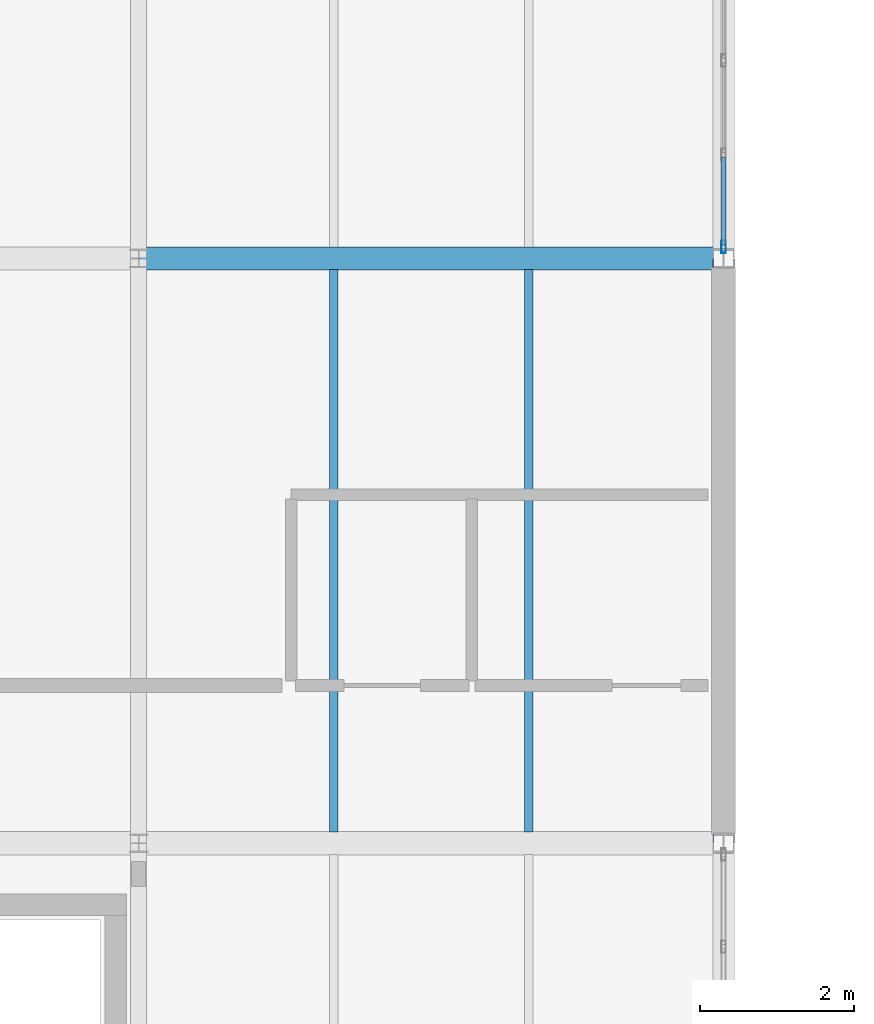
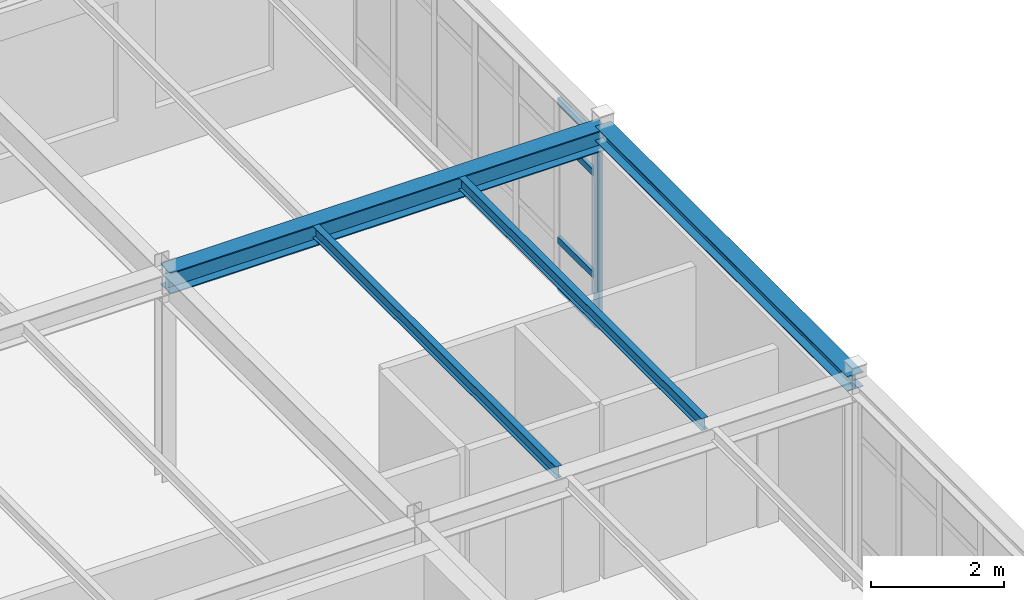
# One storey, part 36 of 189: 5 members, 4 beams, 1 element without a shape of its own.
"""IFC4 building model written with IfcOpenShell, lengths in metres."""

from ifc_helpers import new_model, si_unit, direction, frame, origin, origin_2d, place, context, subcontext, project, spatial, hollow_rectangle, i_section, extrude, material, layer, layer_set, material_profile, profile_set, type_object, element, aggregate, save


model = new_model("IFC4")

# Units and contexts
model_context = context("Model", 3, precision=1e-05, world=origin(), true_north=direction((0.0, 1.0)))
body_context = subcontext(model_context, "Body", "Model", "MODEL_VIEW")
ifc_project = project(units=[si_unit("LENGTHUNIT", "METRE"), si_unit("AREAUNIT", "SQUARE_METRE"), si_unit("VOLUMEUNIT", "CUBIC_METRE"), si_unit("PLANEANGLEUNIT", "RADIAN"), si_unit("MASSUNIT", "GRAM", prefix="KILO")], contexts=[model_context])

# Site, building, storey
site_placement = place(None, origin())
site = spatial("IfcSite", under=ifc_project, at=site_placement, CompositionType="ELEMENT")
building_placement = place(site_placement, origin())
building = spatial("IfcBuilding", under=site, at=building_placement, Name="Montecoro Central Library", CompositionType="ELEMENT")
storey_placement = place(building_placement, frame((0.0, 0.0, 9.179931640625)))
storey = spatial("IfcBuildingStorey", under=building, at=storey_placement, Name="L02", CompositionType="ELEMENT", Elevation=9.179931640625)

# Beams
ifc_material_1 = material(Name="Steel S355", Category="steel")
ifc_material_profile_1 = material_profile(ifc_material_1, i_section(OverallWidth=0.300048828125, OverallDepth=0.389892578125, WebThickness=0.010986328125, FlangeThickness=0.01904296875, at=origin_2d()), Name="HEA 400")
ifc_profile_set_1 = profile_set([ifc_material_profile_1], Name="Steel S355")
beam_type_1 = type_object("IfcBeamType", Name="BM-G-HEA400", PredefinedType="USERDEFINED", material=ifc_profile_set_1)
beam_1_placement = place(storey_placement, frame((35.405029296875, 27.800048828125, 3.630126953125), z_axis=(1.0, 0.0, 0.0), x_axis=(0.0, 1.0, 0.0)))
element("IfcBeam", 1, at=beam_1_placement, inside=storey, type_object=beam_type_1, Name="V3-L02-BX-56-D", ObjectType="GIRDER", PredefinedType="USERDEFINED", context=body_context, shape_type="SweptSolid", body=[
    extrude(i_section(OverallWidth=0.300048828125, OverallDepth=0.389892578125, WebThickness=0.010986328125, FlangeThickness=0.01904296875, at=origin_2d()), origin(), (0.0, 0.0, 1.0), 7.590087890625),
])
ifc_material_profile_2 = material_profile(ifc_material_1, i_section(OverallWidth=0.110107421875, OverallDepth=0.219970703125, WebThickness=0.005859375, FlangeThickness=0.00927734375, at=origin_2d()), Name="IPE 220")
ifc_profile_set_2 = profile_set([ifc_material_profile_2], Name="Steel S355")
beam_type_2 = type_object("IfcBeamType", Name="BM-J-IPE220", PredefinedType="JOIST", material=ifc_profile_set_2)
for number, where, z_axis, x_axis, name in (
    (2, (37.93310546875, 20.346923828125, 3.715087890625), (0.0, 1.0, 0.0), (-1.0, 0.0, 0.0), "V3-L02-JS-56-CD-1"),
    (3, (40.467041015625, 20.346923828125, 3.715087890625), (0.0, 1.0, 0.0), (-1.0, 0.0, 0.0), "V3-L02-JS-56-CD-2"),
):
    element("IfcBeam", number, at=place(storey_placement, frame(where, z_axis=z_axis, x_axis=x_axis)), inside=storey, type_object=beam_type_2, Name=name, PredefinedType="JOIST", context=body_context, shape_type="SweptSolid", body=[
        extrude(i_section(OverallWidth=0.110107421875, OverallDepth=0.219970703125, WebThickness=0.005859375, FlangeThickness=0.00927734375, at=origin_2d()), origin(), (0.0, 0.0, 1.0), 7.30615234375),
    ])
ifc_material_profile_3 = material_profile(ifc_material_1, i_section(OverallWidth=0.280029296875, OverallDepth=0.27001953125, WebThickness=0.008056640625, FlangeThickness=0.012939453125, at=origin_2d()), Name="HEA 280")
ifc_profile_set_3 = profile_set([ifc_material_profile_3], Name="Steel S355")
beam_type_3 = type_object("IfcBeamType", Name="BM-SP-HEA280", PredefinedType="SPANDREL", material=ifc_profile_set_3)
beam_2_placement = place(storey_placement, frame((43.0, 20.205078125, 3.690185546875), z_axis=(0.0, 1.0, 0.0), x_axis=(-1.0, 0.0, 0.0)))
element("IfcBeam", 4, at=beam_2_placement, inside=storey, type_object=beam_type_3, Name="V3-L02-BY-6-CD", PredefinedType="SPANDREL", context=body_context, shape_type="SweptSolid", body=[
    extrude(i_section(OverallWidth=0.280029296875, OverallDepth=0.27001953125, WebThickness=0.008056640625, FlangeThickness=0.012939453125, at=origin_2d()), origin(), (0.0, 0.0, 1.0), 7.58984375),
])

# Curtain wall, members
ifc_material_2 = material(Name="Bronze-anodised aluminium and low-E glazing", Category="aluminium")
ifc_layer = layer(ifc_material_2, 0.159912109375)
ifc_layer_set = layer_set([ifc_layer], Name="Bronze-anodised aluminium and low-E glazing")
curtain_wall_type = type_object("IfcCurtainWallType", Name="CWT-034", PredefinedType="NOTDEFINED", material=ifc_layer_set)
curtain_wall_placement = place(storey_placement, origin())
curtain_wall = element("IfcCurtainWall", 5, at=curtain_wall_placement, inside=storey, type_object=curtain_wall_type, Name="V3-L02-CW-E3", PredefinedType="NOTDEFINED")
ifc_material_3 = material(Name="Bronze-anodised aluminium", Category="aluminium")
ifc_material_profile_4 = material_profile(ifc_material_3, hollow_rectangle(XDim=0.06005859375, YDim=0.159912109375, WallThickness=0.00390625, at=origin_2d()), Name="CWM 160x60x4.0")
ifc_profile_set_4 = profile_set([ifc_material_profile_4], Name="Bronze-anodised aluminium")
member_type_1 = type_object("IfcMemberType", Name="CWM-BRZ-60", PredefinedType="MULLION", material=ifc_profile_set_4)
member_1_placement = place(storey_placement, frame((43.0, 27.947998046875, 0.0), z_axis=(0.0, 0.0, 1.0), x_axis=(-1.0, 0.0, 0.0)))
member_1 = element("IfcMember", 6, at=member_1_placement, type_object=member_type_1, Name="CW-034 mullion 1", PredefinedType="MULLION", context=body_context, shape_type="SweptSolid", body=[
    extrude(hollow_rectangle(XDim=0.06005859375, YDim=0.159912109375, WallThickness=0.00390625, at=origin_2d()), origin(), (0.0, 0.0, 1.0), 3.47998046875),
])
ifc_material_profile_5 = material_profile(ifc_material_3, hollow_rectangle(XDim=0.06005859375, YDim=0.1201171875, WallThickness=0.00390625, at=origin_2d()), Name="CWT 120x60x4.0")
ifc_profile_set_5 = profile_set([ifc_material_profile_5], Name="Bronze-anodised aluminium")
member_type_2 = type_object("IfcMemberType", Name="CWT-BRZ-60", PredefinedType="USERDEFINED", material=ifc_profile_set_5)
member_2_placement = place(storey_placement, frame((43.0, 27.97802734375, 0.030029296875), z_axis=(0.0, 1.0, 0.0), x_axis=(-1.0, 0.0, 0.0)))
member_2 = element("IfcMember", 7, at=member_2_placement, type_object=member_type_2, Name="CW-034 transom 1.1", ObjectType="TRANSOM", PredefinedType="USERDEFINED", context=body_context, shape_type="SweptSolid", body=[
    extrude(hollow_rectangle(XDim=0.06005859375, YDim=0.1201171875, WallThickness=0.00390625, at=origin_2d()), origin(), (0.0, 0.0, 1.0), 1.13720703125),
])
member_3_placement = place(storey_placement, frame((43.0, 27.97802734375, 0.900146484375), z_axis=(0.0, 1.0, 0.0), x_axis=(-1.0, 0.0, 0.0)))
member_3 = element("IfcMember", 8, at=member_3_placement, type_object=member_type_2, Name="CW-034 transom 1.2", ObjectType="TRANSOM", PredefinedType="USERDEFINED", context=body_context, shape_type="SweptSolid", body=[
    extrude(hollow_rectangle(XDim=0.06005859375, YDim=0.1201171875, WallThickness=0.00390625, at=origin_2d()), origin(), (0.0, 0.0, 1.0), 1.13720703125),
])
member_4_placement = place(storey_placement, frame((43.0, 27.97802734375, 2.780029296875), z_axis=(0.0, 1.0, 0.0), x_axis=(-1.0, 0.0, 0.0)))
member_4 = element("IfcMember", 9, at=member_4_placement, type_object=member_type_2, Name="CW-034 transom 1.3", ObjectType="TRANSOM", PredefinedType="USERDEFINED", context=body_context, shape_type="SweptSolid", body=[
    extrude(hollow_rectangle(XDim=0.06005859375, YDim=0.1201171875, WallThickness=0.00390625, at=origin_2d()), origin(), (0.0, 0.0, 1.0), 1.13720703125),
])
member_5_placement = place(storey_placement, frame((43.0, 27.97802734375, 3.449951171875), z_axis=(0.0, 1.0, 0.0), x_axis=(-1.0, 0.0, 0.0)))
member_5 = element("IfcMember", 10, at=member_5_placement, type_object=member_type_2, Name="CW-034 transom 1.4", ObjectType="TRANSOM", PredefinedType="USERDEFINED", context=body_context, shape_type="SweptSolid", body=[
    extrude(hollow_rectangle(XDim=0.06005859375, YDim=0.1201171875, WallThickness=0.00390625, at=origin_2d()), origin(), (0.0, 0.0, 1.0), 1.13720703125),
])
aggregate(curtain_wall, [member_1, member_2, member_3, member_4, member_5])

save(model, "model.ifc")
